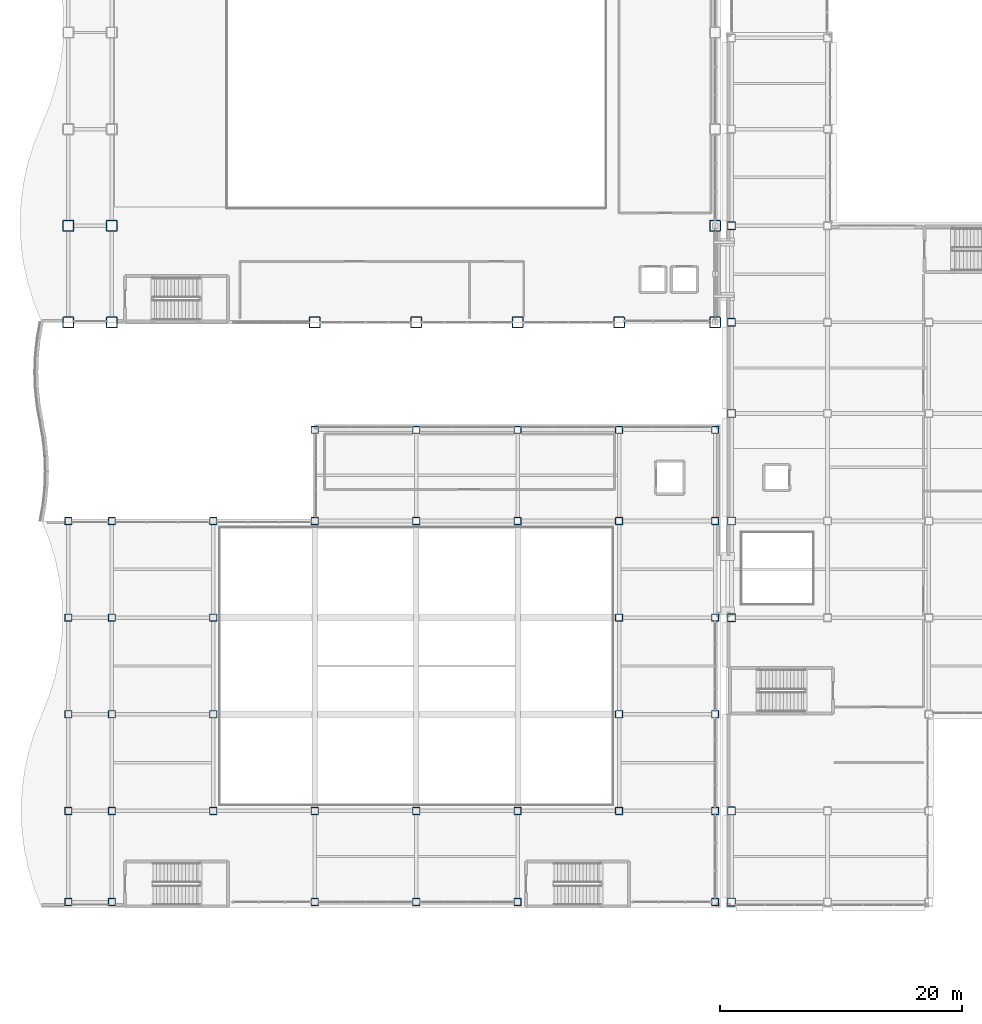
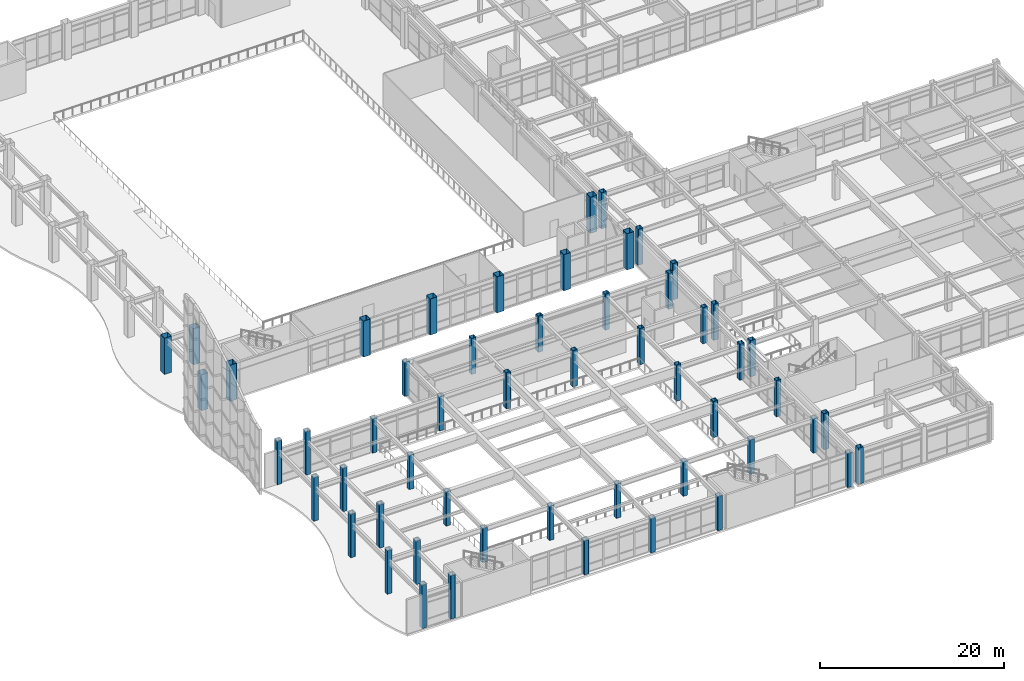
# One storey, part 1 of 172: 54 columns.
"""IFC4 building model written with IfcOpenShell, lengths in metres."""

from ifc_helpers import new_model, si_unit, direction, frame, origin, origin_2d, place, context, subcontext, project, spatial, hollow_rectangle, extrude, material, material_profile, profile_set, type_object, element, save


model = new_model("IFC4")

# Units and contexts
model_context = context("Model", 3, precision=1e-05, world=origin(), true_north=direction((0.0, 1.0)))
body_context = subcontext(model_context, "Body", "Model", "MODEL_VIEW")
ifc_project = project(units=[si_unit("LENGTHUNIT", "METRE"), si_unit("AREAUNIT", "SQUARE_METRE"), si_unit("VOLUMEUNIT", "CUBIC_METRE"), si_unit("PLANEANGLEUNIT", "RADIAN"), si_unit("MASSUNIT", "GRAM", prefix="KILO")], contexts=[model_context])

# Site, building, storey
site_placement = place(None, origin())
site = spatial("IfcSite", under=ifc_project, at=site_placement, CompositionType="ELEMENT")
building_placement = place(site_placement, origin())
building = spatial("IfcBuilding", under=site, at=building_placement, Name="Kazehara Bluff Congress Hotel", CompositionType="ELEMENT")
storey_placement = place(building_placement, frame((0.0, 0.0, 5.39990234375)))
storey = spatial("IfcBuildingStorey", under=building, at=storey_placement, Name="L01", CompositionType="ELEMENT", Elevation=5.39990234375)

# Columns
ifc_material_1 = material(Name="Steel BCR295", Category="steel")
ifc_material_profile_1 = material_profile(ifc_material_1, hollow_rectangle(XDim=0.89990234375, YDim=0.89990234375, WallThickness=0.031982421875, InnerFilletRadius=0.031982421875, OuterFilletRadius=0.06396484375, at=origin_2d()))
ifc_profile_set_1 = profile_set([ifc_material_profile_1], Name="Steel BCR295")
column_type_1 = type_object("IfcColumnType", Name="TP-C-01", PredefinedType="COLUMN", material=ifc_profile_set_1)
for number, where, z_axis, x_axis, name in (
    (1, (4.800048828125, 48.449951171875, 0.0), (0.0, 0.0, 1.0), (1.0, 0.0, 0.0), "L01 mega-column C-01 (4.80,48.45)"),
    (2, (4.800048828125, 56.449951171875, 0.0), (0.0, 0.0, 1.0), (1.0, 0.0, 0.0), "L01 mega-column C-01 (4.80,56.45)"),
    (3, (8.39990234375, 48.449951171875, 0.0), (0.0, 0.0, 1.0), (1.0, 0.0, 0.0), "L01 mega-column C-01 (8.40,48.45)"),
    (4, (8.39990234375, 56.449951171875, 0.0), (0.0, 0.0, 1.0), (1.0, 0.0, 0.0), "L01 mega-column C-01 (8.40,56.45)"),
    (5, (25.199951171875, 48.449951171875, 0.0), (0.0, 0.0, 1.0), (1.0, 0.0, 0.0), "L01 mega-column C-01 (25.20,48.45)"),
    (6, (33.60009765625, 48.449951171875, 0.0), (0.0, 0.0, 1.0), (1.0, 0.0, 0.0), "L01 mega-column C-01 (33.60,48.45)"),
    (7, (42.0, 48.449951171875, 0.0), (0.0, 0.0, 1.0), (1.0, 0.0, 0.0), "L01 mega-column C-01 (42.00,48.45)"),
    (8, (50.39990234375, 48.449951171875, 0.0), (0.0, 0.0, 1.0), (1.0, 0.0, 0.0), "L01 mega-column C-01 (50.40,48.45)"),
    (9, (58.35009765625, 48.449951171875, 0.0), (0.0, 0.0, 1.0), (1.0, 0.0, 0.0), "L01 mega-column C-01 (58.35,48.45)"),
    (10, (58.35009765625, 56.449951171875, 0.0), (0.0, 0.0, 1.0), (1.0, 0.0, 0.0), "L01 mega-column C-01 (58.35,56.45)"),
):
    element("IfcColumn", number, at=place(storey_placement, frame(where, z_axis=z_axis, x_axis=x_axis)), inside=storey, type_object=column_type_1, Name=name, PredefinedType="COLUMN", context=body_context, shape_type="SweptSolid", body=[
        extrude(hollow_rectangle(XDim=0.89990234375, YDim=0.89990234375, WallThickness=0.031982421875, InnerFilletRadius=0.031982421875, OuterFilletRadius=0.06396484375, at=origin_2d()), origin(), (0.0, 0.0, 1.0), 4.800048828125),
    ])
ifc_material_2 = material(Name="Steel BCR295", Category="steel")
ifc_material_profile_2 = material_profile(ifc_material_2, hollow_rectangle(XDim=0.64990234375, YDim=0.64990234375, WallThickness=0.02490234375, InnerFilletRadius=0.02490234375, OuterFilletRadius=0.050048828125, at=origin_2d()))
ifc_profile_set_2 = profile_set([ifc_material_profile_2], Name="Steel BCR295")
column_type_2 = type_object("IfcColumnType", Name="TP-C-04", PredefinedType="COLUMN", material=ifc_profile_set_2)
for number, where, z_axis, x_axis, name in (
    (11, (59.699951171875, 0.449951171875, 0.0), (0.0, 0.0, 1.0), (1.0, 0.0, 0.0), "L01 column C-04 (59.70,0.45)"),
    (12, (59.699951171875, 8.0, 0.0), (0.0, 0.0, 1.0), (1.0, 0.0, 0.0), "L01 column C-04 (59.70,8.00)"),
    (13, (59.699951171875, 24.0, 0.0), (0.0, 0.0, 1.0), (1.0, 0.0, 0.0), "L01 column C-04 (59.70,24.00)"),
    (14, (59.699951171875, 32.0, 0.0), (0.0, 0.0, 1.0), (1.0, 0.0, 0.0), "L01 column C-04 (59.70,32.00)"),
    (15, (59.699951171875, 40.89990234375, 0.0), (0.0, 0.0, 1.0), (1.0, 0.0, 0.0), "L01 column C-04 (59.70,40.90)"),
    (16, (59.699951171875, 48.449951171875, 0.0), (0.0, 0.0, 1.0), (1.0, 0.0, 0.0), "L01 column C-04 (59.70,48.45)"),
    (17, (59.699951171875, 56.449951171875, 0.0), (0.0, 0.0, 1.0), (1.0, 0.0, 0.0), "L01 column C-04 (59.70,56.45)"),
):
    element("IfcColumn", number, at=place(storey_placement, frame(where, z_axis=z_axis, x_axis=x_axis)), inside=storey, type_object=column_type_2, Name=name, PredefinedType="COLUMN", context=body_context, shape_type="SweptSolid", body=[
        extrude(hollow_rectangle(XDim=0.64990234375, YDim=0.64990234375, WallThickness=0.02490234375, InnerFilletRadius=0.02490234375, OuterFilletRadius=0.050048828125, at=origin_2d()), origin(), (0.0, 0.0, 1.0), 4.800048828125),
    ])
ifc_material_3 = material(Name="Steel BCR295", Category="steel")
ifc_material_profile_3 = material_profile(ifc_material_3, hollow_rectangle(XDim=0.60009765625, YDim=0.60009765625, WallThickness=0.02490234375, InnerFilletRadius=0.02490234375, OuterFilletRadius=0.050048828125, at=origin_2d()))
ifc_profile_set_3 = profile_set([ifc_material_profile_3], Name="Steel BCR295")
column_type_3 = type_object("IfcColumnType", Name="TP-C-05", PredefinedType="COLUMN", material=ifc_profile_set_3)
for number, where, z_axis, x_axis, name in (
    (18, (4.800048828125, 0.449951171875, 0.0), (0.0, 0.0, 1.0), (1.0, 0.0, 0.0), "L01 column C-05 (4.80,0.45)"),
    (19, (4.800048828125, 8.0, 0.0), (0.0, 0.0, 1.0), (1.0, 0.0, 0.0), "L01 column C-05 (4.80,8.00)"),
    (20, (4.800048828125, 16.0, 0.0), (0.0, 0.0, 1.0), (1.0, 0.0, 0.0), "L01 column C-05 (4.80,16.00)"),
    (21, (4.800048828125, 24.0, 0.0), (0.0, 0.0, 1.0), (1.0, 0.0, 0.0), "L01 column C-05 (4.80,24.00)"),
    (22, (4.800048828125, 32.0, 0.0), (0.0, 0.0, 1.0), (1.0, 0.0, 0.0), "L01 column C-05 (4.80,32.00)"),
    (23, (8.39990234375, 0.449951171875, 0.0), (0.0, 0.0, 1.0), (1.0, 0.0, 0.0), "L01 column C-05 (8.40,0.45)"),
    (24, (8.39990234375, 8.0, 0.0), (0.0, 0.0, 1.0), (1.0, 0.0, 0.0), "L01 column C-05 (8.40,8.00)"),
    (25, (8.39990234375, 16.0, 0.0), (0.0, 0.0, 1.0), (1.0, 0.0, 0.0), "L01 column C-05 (8.40,16.00)"),
    (26, (8.39990234375, 24.0, 0.0), (0.0, 0.0, 1.0), (1.0, 0.0, 0.0), "L01 column C-05 (8.40,24.00)"),
    (27, (8.39990234375, 32.0, 0.0), (0.0, 0.0, 1.0), (1.0, 0.0, 0.0), "L01 column C-05 (8.40,32.00)"),
):
    element("IfcColumn", number, at=place(storey_placement, frame(where, z_axis=z_axis, x_axis=x_axis)), inside=storey, type_object=column_type_3, Name=name, PredefinedType="COLUMN", context=body_context, shape_type="SweptSolid", body=[
        extrude(hollow_rectangle(XDim=0.60009765625, YDim=0.60009765625, WallThickness=0.02490234375, InnerFilletRadius=0.02490234375, OuterFilletRadius=0.050048828125, at=origin_2d()), origin(), (0.0, 0.0, 1.0), 5.7900390625),
    ])
for number, where, z_axis, x_axis, name in (
    (28, (16.800048828125, 8.0, 0.0), (0.0, 0.0, 1.0), (1.0, 0.0, 0.0), "L01 column C-05 (16.80,8.00)"),
    (29, (16.800048828125, 16.0, 0.0), (0.0, 0.0, 1.0), (1.0, 0.0, 0.0), "L01 column C-05 (16.80,16.00)"),
    (30, (16.800048828125, 24.0, 0.0), (0.0, 0.0, 1.0), (1.0, 0.0, 0.0), "L01 column C-05 (16.80,24.00)"),
    (31, (16.800048828125, 32.0, 0.0), (0.0, 0.0, 1.0), (1.0, 0.0, 0.0), "L01 column C-05 (16.80,32.00)"),
    (32, (25.199951171875, 0.449951171875, 0.0), (0.0, 0.0, 1.0), (1.0, 0.0, 0.0), "L01 column C-05 (25.20,0.45)"),
    (33, (25.199951171875, 8.0, 0.0), (0.0, 0.0, 1.0), (1.0, 0.0, 0.0), "L01 column C-05 (25.20,8.00)"),
    (34, (25.199951171875, 32.0, 0.0), (0.0, 0.0, 1.0), (1.0, 0.0, 0.0), "L01 column C-05 (25.20,32.00)"),
    (35, (25.199951171875, 39.550048828125, 0.0), (0.0, 0.0, 1.0), (1.0, 0.0, 0.0), "L01 column C-05 (25.20,39.55)"),
    (36, (33.60009765625, 0.449951171875, 0.0), (0.0, 0.0, 1.0), (1.0, 0.0, 0.0), "L01 column C-05 (33.60,0.45)"),
    (37, (33.60009765625, 8.0, 0.0), (0.0, 0.0, 1.0), (1.0, 0.0, 0.0), "L01 column C-05 (33.60,8.00)"),
):
    element("IfcColumn", number, at=place(storey_placement, frame(where, z_axis=z_axis, x_axis=x_axis)), inside=storey, type_object=column_type_3, Name=name, PredefinedType="COLUMN", context=body_context, shape_type="SweptSolid", body=[
        extrude(hollow_rectangle(XDim=0.60009765625, YDim=0.60009765625, WallThickness=0.02490234375, InnerFilletRadius=0.02490234375, OuterFilletRadius=0.050048828125, at=origin_2d()), origin(), (0.0, 0.0, 1.0), 4.550048828125),
    ])
for number, where, z_axis, x_axis, name in (
    (38, (33.60009765625, 32.0, 0.0), (0.0, 0.0, 1.0), (1.0, 0.0, 0.0), "L01 column C-05 (33.60,32.00)"),
    (39, (33.60009765625, 39.550048828125, 0.0), (0.0, 0.0, 1.0), (1.0, 0.0, 0.0), "L01 column C-05 (33.60,39.55)"),
):
    element("IfcColumn", number, at=place(storey_placement, frame(where, z_axis=z_axis, x_axis=x_axis)), inside=storey, type_object=column_type_3, Name=name, PredefinedType="COLUMN", context=body_context, shape_type="SweptSolid", body=[
        extrude(hollow_rectangle(XDim=0.60009765625, YDim=0.60009765625, WallThickness=0.02490234375, InnerFilletRadius=0.02490234375, OuterFilletRadius=0.050048828125, at=origin_2d()), origin(), (0.0, 0.0, 1.0), 4.800048828125),
    ])
for number, where, z_axis, x_axis, name in (
    (40, (42.0, 0.449951171875, 0.0), (0.0, 0.0, 1.0), (1.0, 0.0, 0.0), "L01 column C-05 (42.00,0.45)"),
    (41, (42.0, 8.0, 0.0), (0.0, 0.0, 1.0), (1.0, 0.0, 0.0), "L01 column C-05 (42.00,8.00)"),
):
    element("IfcColumn", number, at=place(storey_placement, frame(where, z_axis=z_axis, x_axis=x_axis)), inside=storey, type_object=column_type_3, Name=name, PredefinedType="COLUMN", context=body_context, shape_type="SweptSolid", body=[
        extrude(hollow_rectangle(XDim=0.60009765625, YDim=0.60009765625, WallThickness=0.02490234375, InnerFilletRadius=0.02490234375, OuterFilletRadius=0.050048828125, at=origin_2d()), origin(), (0.0, 0.0, 1.0), 4.550048828125),
    ])
for number, where, z_axis, x_axis, name in (
    (42, (42.0, 32.0, 0.0), (0.0, 0.0, 1.0), (1.0, 0.0, 0.0), "L01 column C-05 (42.00,32.00)"),
    (43, (42.0, 39.550048828125, 0.0), (0.0, 0.0, 1.0), (1.0, 0.0, 0.0), "L01 column C-05 (42.00,39.55)"),
):
    element("IfcColumn", number, at=place(storey_placement, frame(where, z_axis=z_axis, x_axis=x_axis)), inside=storey, type_object=column_type_3, Name=name, PredefinedType="COLUMN", context=body_context, shape_type="SweptSolid", body=[
        extrude(hollow_rectangle(XDim=0.60009765625, YDim=0.60009765625, WallThickness=0.02490234375, InnerFilletRadius=0.02490234375, OuterFilletRadius=0.050048828125, at=origin_2d()), origin(), (0.0, 0.0, 1.0), 4.800048828125),
    ])
column_placement = place(storey_placement, frame((50.39990234375, 8.0, 0.0), z_axis=(0.0, 0.0, 1.0), x_axis=(1.0, 0.0, 0.0)))
element("IfcColumn", 44, at=column_placement, inside=storey, type_object=column_type_3, Name="L01 column C-05 (50.40,8.00)", PredefinedType="COLUMN", context=body_context, shape_type="SweptSolid", body=[
    extrude(hollow_rectangle(XDim=0.60009765625, YDim=0.60009765625, WallThickness=0.02490234375, InnerFilletRadius=0.02490234375, OuterFilletRadius=0.050048828125, at=origin_2d()), origin(), (0.0, 0.0, 1.0), 4.550048828125),
])
for number, where, z_axis, x_axis, name in (
    (45, (50.39990234375, 16.0, 0.0), (0.0, 0.0, 1.0), (1.0, 0.0, 0.0), "L01 column C-05 (50.40,16.00)"),
    (46, (50.39990234375, 24.0, 0.0), (0.0, 0.0, 1.0), (1.0, 0.0, 0.0), "L01 column C-05 (50.40,24.00)"),
    (47, (50.39990234375, 32.0, 0.0), (0.0, 0.0, 1.0), (1.0, 0.0, 0.0), "L01 column C-05 (50.40,32.00)"),
    (48, (50.39990234375, 39.550048828125, 0.0), (0.0, 0.0, 1.0), (1.0, 0.0, 0.0), "L01 column C-05 (50.40,39.55)"),
):
    element("IfcColumn", number, at=place(storey_placement, frame(where, z_axis=z_axis, x_axis=x_axis)), inside=storey, type_object=column_type_3, Name=name, PredefinedType="COLUMN", context=body_context, shape_type="SweptSolid", body=[
        extrude(hollow_rectangle(XDim=0.60009765625, YDim=0.60009765625, WallThickness=0.02490234375, InnerFilletRadius=0.02490234375, OuterFilletRadius=0.050048828125, at=origin_2d()), origin(), (0.0, 0.0, 1.0), 4.800048828125),
    ])
for number, where, z_axis, x_axis, name in (
    (49, (58.35009765625, 0.449951171875, 0.0), (0.0, 0.0, 1.0), (1.0, 0.0, 0.0), "L01 column C-05 (58.35,0.45)"),
    (50, (58.35009765625, 8.0, 0.0), (0.0, 0.0, 1.0), (1.0, 0.0, 0.0), "L01 column C-05 (58.35,8.00)"),
):
    element("IfcColumn", number, at=place(storey_placement, frame(where, z_axis=z_axis, x_axis=x_axis)), inside=storey, type_object=column_type_3, Name=name, PredefinedType="COLUMN", context=body_context, shape_type="SweptSolid", body=[
        extrude(hollow_rectangle(XDim=0.60009765625, YDim=0.60009765625, WallThickness=0.02490234375, InnerFilletRadius=0.02490234375, OuterFilletRadius=0.050048828125, at=origin_2d()), origin(), (0.0, 0.0, 1.0), 4.550048828125),
    ])
for number, where, z_axis, x_axis, name in (
    (51, (58.35009765625, 16.0, 0.0), (0.0, 0.0, 1.0), (1.0, 0.0, 0.0), "L01 column C-05 (58.35,16.00)"),
    (52, (58.35009765625, 24.0, 0.0), (0.0, 0.0, 1.0), (1.0, 0.0, 0.0), "L01 column C-05 (58.35,24.00)"),
    (53, (58.35009765625, 32.0, 0.0), (0.0, 0.0, 1.0), (1.0, 0.0, 0.0), "L01 column C-05 (58.35,32.00)"),
    (54, (58.35009765625, 39.550048828125, 0.0), (0.0, 0.0, 1.0), (1.0, 0.0, 0.0), "L01 column C-05 (58.35,39.55)"),
):
    element("IfcColumn", number, at=place(storey_placement, frame(where, z_axis=z_axis, x_axis=x_axis)), inside=storey, type_object=column_type_3, Name=name, PredefinedType="COLUMN", context=body_context, shape_type="SweptSolid", body=[
        extrude(hollow_rectangle(XDim=0.60009765625, YDim=0.60009765625, WallThickness=0.02490234375, InnerFilletRadius=0.02490234375, OuterFilletRadius=0.050048828125, at=origin_2d()), origin(), (0.0, 0.0, 1.0), 4.800048828125),
    ])

save(model, "model.ifc")
